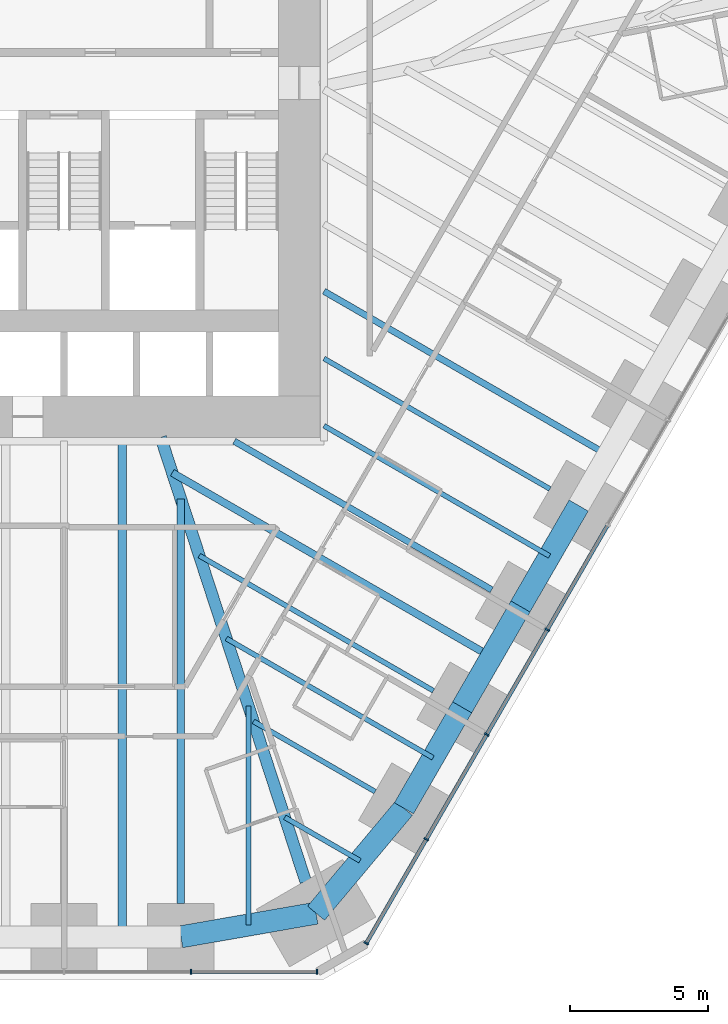
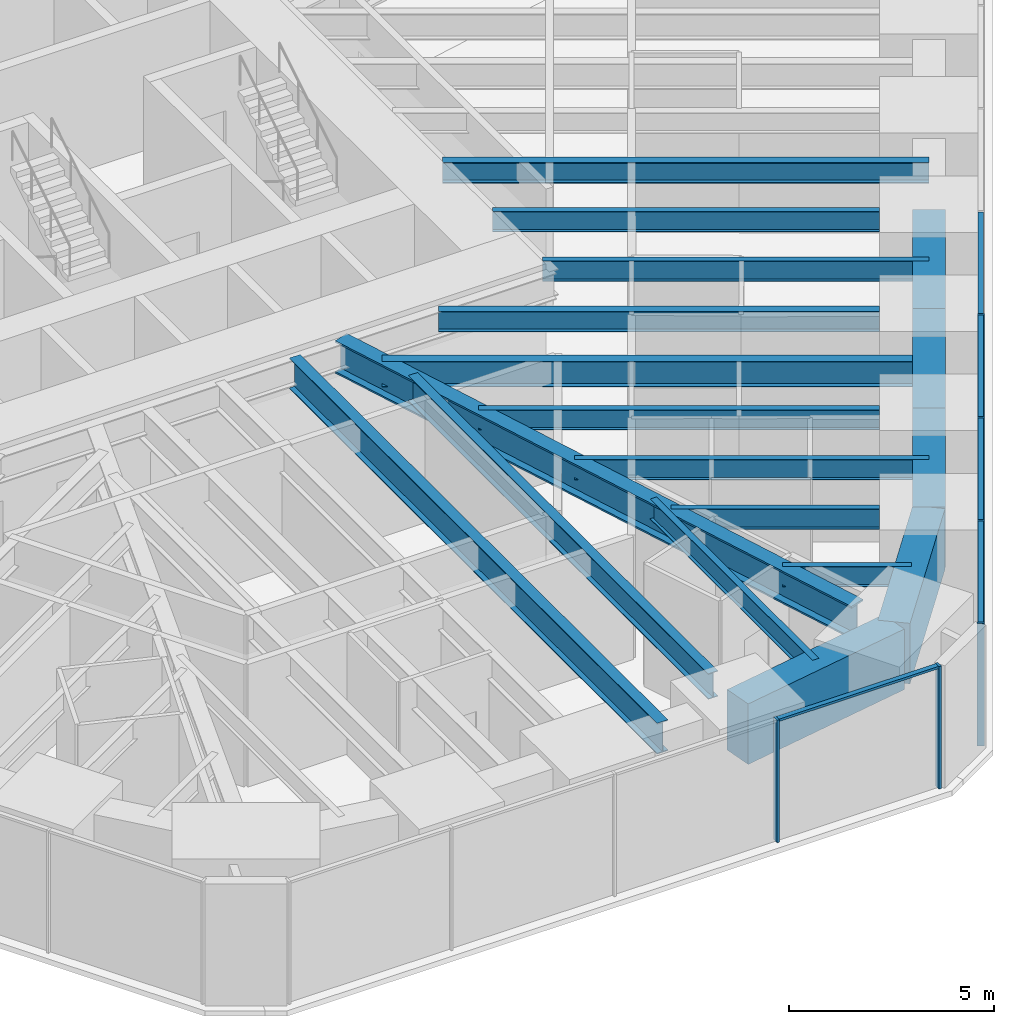
# One storey, part 5 of 17: 18 beams, 11 members, 2 elements without a shape of their own.
"""IFC4 building model written with IfcOpenShell, lengths in metres."""

from ifc_helpers import new_model, si_unit, direction, frame, origin, origin_2d, place, context, subcontext, project, spatial, rectangle, i_section, extrude, material, material_profile, profile_set, type_object, element, aggregate, save


model = new_model("IFC4")

# Units and contexts
model_context = context("Model", 3, precision=1e-05, world=origin(), true_north=direction((0.0, 1.0)))
body_context = subcontext(model_context, "Body", "Model", "MODEL_VIEW")
ifc_project = project(units=[si_unit("LENGTHUNIT", "METRE"), si_unit("AREAUNIT", "SQUARE_METRE"), si_unit("VOLUMEUNIT", "CUBIC_METRE"), si_unit("PLANEANGLEUNIT", "RADIAN"), si_unit("MASSUNIT", "GRAM", prefix="KILO")], contexts=[model_context])

# Site, building, storey
site_placement = place(None, origin())
site = spatial("IfcSite", under=ifc_project, at=site_placement, CompositionType="ELEMENT")
building_placement = place(site_placement, origin())
building = spatial("IfcBuilding", under=site, at=building_placement, Name="Sandreach Pilgrim Tower", CompositionType="ELEMENT")
storey_placement = place(building_placement, frame((0.0, 0.0, 38.199951171875)))
storey = spatial("IfcBuildingStorey", under=building, at=storey_placement, Name="L08", CompositionType="ELEMENT", Elevation=38.199951171875)

# Curtain wall, members
ifc_material_1 = material(Name="Aluminium framed curtain wall", Category="aluminium")
curtain_wall_type = type_object("IfcCurtainWallType", Name="Hostel tower curtain wall", PredefinedType="NOTDEFINED", material=ifc_material_1)
curtain_wall_1_placement = place(storey_placement, origin())
curtain_wall_1 = element("IfcCurtainWall", 1, at=curtain_wall_1_placement, inside=storey, type_object=curtain_wall_type, Name="CW-1 L08 SE", PredefinedType="NOTDEFINED")
ifc_material_2 = material(Name="Aluminium extrusion", Category="aluminium")
ifc_material_profile_1 = material_profile(ifc_material_2, rectangle(XDim=0.06494140625, YDim=0.179931640625, at=origin_2d()), Name="CW-1M 65X180")
ifc_profile_set_1 = profile_set([ifc_material_profile_1], Name="Aluminium extrusion")
member_type_1 = type_object("IfcMemberType", Name="CW-1 mullion", PredefinedType="MULLION", material=ifc_profile_set_1)
member_1_placement = place(storey_placement, frame((17.46142578125, -17.6533203125, 0.0), z_axis=(0.0, 0.0, 1.0), x_axis=(-0.5, -0.866025403784, 0.0)))
member_1 = element("IfcMember", 2, at=member_1_placement, type_object=member_type_1, Name="CW-1 mullion 7", PredefinedType="MULLION", context=body_context, shape_type="SweptSolid", body=[
    extrude(rectangle(XDim=0.06494140625, YDim=0.179931640625, at=origin_2d()), origin(), (0.0, 0.0, 1.0), 3.64013671875),
])
member_2_placement = place(storey_placement, frame((15.275634765625, -21.439208984375, 0.0), z_axis=(0.0, 0.0, 1.0), x_axis=(-0.5, -0.866025403784, 0.0)))
member_2 = element("IfcMember", 3, at=member_2_placement, type_object=member_type_1, Name="CW-1 mullion 8", PredefinedType="MULLION", context=body_context, shape_type="SweptSolid", body=[
    extrude(rectangle(XDim=0.06494140625, YDim=0.179931640625, at=origin_2d()), origin(), (0.0, 0.0, 1.0), 3.64013671875),
])
member_3_placement = place(storey_placement, frame((13.08984375, -25.22509765625, 0.0), z_axis=(0.0, 0.0, 1.0), x_axis=(-0.5, -0.866025403784, 0.0)))
member_3 = element("IfcMember", 4, at=member_3_placement, type_object=member_type_1, Name="CW-1 mullion 9", PredefinedType="MULLION", context=body_context, shape_type="SweptSolid", body=[
    extrude(rectangle(XDim=0.06494140625, YDim=0.179931640625, at=origin_2d()), origin(), (0.0, 0.0, 1.0), 3.64013671875),
])
member_4_placement = place(storey_placement, frame((10.92041015625, -28.982666015625, 0.0), z_axis=(0.0, 0.0, 1.0), x_axis=(-0.5, -0.866025403784, 0.0)))
member_4 = element("IfcMember", 5, at=member_4_placement, type_object=member_type_1, Name="CW-1 mullion 10", PredefinedType="MULLION", context=body_context, shape_type="SweptSolid", body=[
    extrude(rectangle(XDim=0.06494140625, YDim=0.179931640625, at=origin_2d()), origin(), (0.0, 0.0, 1.0), 3.64013671875),
])

curtain_wall_2_placement = place(storey_placement, origin())
curtain_wall_2 = element("IfcCurtainWall", 6, at=curtain_wall_2_placement, inside=storey, type_object=curtain_wall_type, Name="CW-1 L08 S", PredefinedType="NOTDEFINED")
member_5_placement = place(storey_placement, frame((9.1396484375, -30.010986328125, 0.0), z_axis=(0.0, 0.0, 1.0), x_axis=(-1.0, 0.0, 0.0)))
member_5 = element("IfcMember", 7, at=member_5_placement, type_object=member_type_1, Name="CW-1 mullion 1", PredefinedType="MULLION", context=body_context, shape_type="SweptSolid", body=[
    extrude(rectangle(XDim=0.06494140625, YDim=0.179931640625, at=origin_2d()), origin(), (0.0, 0.0, 1.0), 3.64013671875),
])
member_6_placement = place(storey_placement, frame((4.5859375, -30.010986328125, 0.0), z_axis=(0.0, 0.0, 1.0), x_axis=(-1.0, 0.0, 0.0)))
member_6 = element("IfcMember", 8, at=member_6_placement, type_object=member_type_1, Name="CW-1 mullion 2", PredefinedType="MULLION", context=body_context, shape_type="SweptSolid", body=[
    extrude(rectangle(XDim=0.06494140625, YDim=0.179931640625, at=origin_2d()), origin(), (0.0, 0.0, 1.0), 3.64013671875),
])

# Member
ifc_material_3 = material(Name="Aluminium extrusion", Category="aluminium")
ifc_material_profile_2 = material_profile(ifc_material_3, rectangle(XDim=0.139892578125, YDim=0.070068359375, at=origin_2d()), Name="CW-1T 140X70")
ifc_profile_set_2 = profile_set([ifc_material_profile_2], Name="Aluminium extrusion")
member_type_2 = type_object("IfcMemberType", Name="CW-1 transom", PredefinedType="USERDEFINED", material=ifc_profile_set_2)
member_7_placement = place(storey_placement, frame((19.631103515625, -13.8955078125, 3.60498046875), z_axis=(-0.500016891966, -0.866015650984, 0.0), x_axis=(0.866015650984, -0.500016891966, 0.0)))
member_7 = element("IfcMember", 9, at=member_7_placement, type_object=member_type_2, Name="CW-1 head transom 6", ObjectType="TRANSOM", PredefinedType="USERDEFINED", context=body_context, shape_type="SweptSolid", body=[
    extrude(rectangle(XDim=0.139892578125, YDim=0.070068359375, at=origin_2d()), origin(), (0.0, 0.0, 1.0), 4.306396484375),
])

member_8_placement = place(storey_placement, frame((17.4453125, -17.681396484375, 3.60498046875), z_axis=(-0.500016891966, -0.866015650984, 0.0), x_axis=(0.866015650984, -0.500016891966, 0.0)))
member_8 = element("IfcMember", 10, at=member_8_placement, type_object=member_type_2, Name="CW-1 head transom 7", ObjectType="TRANSOM", PredefinedType="USERDEFINED", context=body_context, shape_type="SweptSolid", body=[
    extrude(rectangle(XDim=0.139892578125, YDim=0.070068359375, at=origin_2d()), origin(), (0.0, 0.0, 1.0), 4.306396484375),
])

member_9_placement = place(storey_placement, frame((15.259521484375, -21.46728515625, 3.60498046875), z_axis=(-0.500016891966, -0.866015650984, 0.0), x_axis=(0.866015650984, -0.500016891966, 0.0)))
member_9 = element("IfcMember", 11, at=member_9_placement, type_object=member_type_2, Name="CW-1 head transom 8", ObjectType="TRANSOM", PredefinedType="USERDEFINED", context=body_context, shape_type="SweptSolid", body=[
    extrude(rectangle(XDim=0.139892578125, YDim=0.070068359375, at=origin_2d()), origin(), (0.0, 0.0, 1.0), 4.306396484375),
])

member_10_placement = place(storey_placement, frame((13.07373046875, -25.253173828125, 3.60498046875), z_axis=(-0.500033953635, -0.866005799756, 0.0), x_axis=(0.866005799756, -0.500033953635, 0.0)))
member_10 = element("IfcMember", 12, at=member_10_placement, type_object=member_type_2, Name="CW-1 head transom 9", ObjectType="TRANSOM", PredefinedType="USERDEFINED", context=body_context, shape_type="SweptSolid", body=[
    extrude(rectangle(XDim=0.139892578125, YDim=0.070068359375, at=origin_2d()), origin(), (0.0, 0.0, 1.0), 4.274169921875),
])

aggregate(curtain_wall_1, [member_1, member_2, member_3, member_4, member_7, member_8, member_9, member_10])

member_11_placement = place(storey_placement, frame((9.107177734375, -30.010986328125, 3.60498046875), z_axis=(-1.0, 0.0, 0.0), x_axis=(0.0, -1.0, 0.0)))
member_11 = element("IfcMember", 13, at=member_11_placement, type_object=member_type_2, Name="CW-1 head transom 1", ObjectType="TRANSOM", PredefinedType="USERDEFINED", context=body_context, shape_type="SweptSolid", body=[
    extrude(rectangle(XDim=0.139892578125, YDim=0.070068359375, at=origin_2d()), origin(), (0.0, 0.0, 1.0), 4.488525390625),
])

aggregate(curtain_wall_2, [member_5, member_6, member_11])

# Beams
ifc_material_4 = material(Name="Steel ASTM A992 Grade 50", Category="steel")
ifc_material_profile_3 = material_profile(ifc_material_4, i_section(OverallWidth=0.424072265625, OverallDepth=0.965087890625, WebThickness=0.028564453125, FlangeThickness=0.051025390625, at=origin_2d()), Name="W36X361")
ifc_profile_set_3 = profile_set([ifc_material_profile_3], Name="Steel ASTM A992 Grade 50")
beam_type_1 = type_object("IfcBeamType", Name="Corner girder W36X361", PredefinedType="BEAM", material=ifc_profile_set_3)
beam_1_placement = place(storey_placement, frame((8.73388671875, -26.756103515625, 3.157470703125), z_axis=(-0.310315410754, 0.950633654911, 0.0), x_axis=(-0.950633654911, -0.310315410754, 0.0)))
element("IfcBeam", 14, at=beam_1_placement, inside=storey, type_object=beam_type_1, Name="BM L08 CG22", PredefinedType="BEAM", context=body_context, shape_type="SweptSolid", body=[
    extrude(i_section(OverallWidth=0.424072265625, OverallDepth=0.965087890625, WebThickness=0.028564453125, FlangeThickness=0.051025390625, at=origin_2d()), origin(), (0.0, 0.0, 1.0), 16.889892578125),
])
ifc_material_5 = material(Name="Steel ASTM A992 Grade 50", Category="steel")
ifc_material_profile_4 = material_profile(ifc_material_5, i_section(OverallWidth=0.1787109375, OverallDepth=0.60205078125, WebThickness=0.010986328125, FlangeThickness=0.014892578125, at=origin_2d()), Name="W24X62")
ifc_profile_set_4 = profile_set([ifc_material_profile_4], Name="Steel ASTM A992 Grade 50")
beam_type_2 = type_object("IfcBeamType", Name="Floor beam W24X62", PredefinedType="BEAM", material=ifc_profile_set_4)
beam_2_placement = place(storey_placement, frame((17.557373046875, -12.5673828125, 3.339111328125), z_axis=(-0.866020839647, 0.500007905235, 0.0), x_axis=(-0.500007905235, -0.866020839647, 0.0)))
element("IfcBeam", 15, at=beam_2_placement, inside=storey, type_object=beam_type_2, Name="BM L08 F18", PredefinedType="BEAM", context=body_context, shape_type="SweptSolid", body=[
    extrude(i_section(OverallWidth=0.1787109375, OverallDepth=0.60205078125, WebThickness=0.010986328125, FlangeThickness=0.014892578125, at=origin_2d()), origin(), (0.0, 0.0, 1.0), 9.427001953125),
])
beam_3_placement = place(storey_placement, frame((13.347412109375, -19.859130859375, 3.339111328125), z_axis=(-0.866025751498, 0.499999397742, 0.0), x_axis=(-0.499999397742, -0.866025751498, 0.0)))
element("IfcBeam", 16, at=beam_3_placement, inside=storey, type_object=beam_type_2, Name="BM L08 F20", PredefinedType="BEAM", context=body_context, shape_type="SweptSolid", body=[
    extrude(i_section(OverallWidth=0.1787109375, OverallDepth=0.60205078125, WebThickness=0.010986328125, FlangeThickness=0.014892578125, at=origin_2d()), origin(), (0.0, 0.0, 1.0), 9.767578125),
])
beam_4_placement = place(storey_placement, frame((11.242431640625, -23.5048828125, 3.339111328125), z_axis=(-0.866027897259, 0.49999568115, 0.0), x_axis=(-0.49999568115, -0.866027897259, 0.0)))
element("IfcBeam", 17, at=beam_4_placement, inside=storey, type_object=beam_type_2, Name="BM L08 F21", PredefinedType="BEAM", context=body_context, shape_type="SweptSolid", body=[
    extrude(i_section(OverallWidth=0.1787109375, OverallDepth=0.60205078125, WebThickness=0.010986328125, FlangeThickness=0.014892578125, at=origin_2d()), origin(), (0.0, 0.0, 1.0), 5.0791015625),
])
beam_5_placement = place(storey_placement, frame((17.5439453125, -14.990234375, 3.339111328125), z_axis=(-0.86602359238, 0.500003137431, 0.0), x_axis=(-0.500003137431, -0.86602359238, 0.0)))
element("IfcBeam", 18, at=beam_5_placement, inside=storey, type_object=beam_type_2, Name="BM L08 FM18", PredefinedType="BEAM", context=body_context, shape_type="SweptSolid", body=[
    extrude(i_section(OverallWidth=0.1787109375, OverallDepth=0.60205078125, WebThickness=0.010986328125, FlangeThickness=0.014892578125, at=origin_2d()), origin(), (0.0, 0.0, 1.0), 9.41162109375),
])
beam_6_placement = place(storey_placement, frame((13.334228515625, -22.281982421875, 3.339111328125), z_axis=(-0.86602717807, 0.499996926835, 0.0), x_axis=(-0.499996926835, -0.86602717807, 0.0)))
element("IfcBeam", 19, at=beam_6_placement, inside=storey, type_object=beam_type_2, Name="BM L08 FM20", PredefinedType="BEAM", context=body_context, shape_type="SweptSolid", body=[
    extrude(i_section(OverallWidth=0.1787109375, OverallDepth=0.60205078125, WebThickness=0.010986328125, FlangeThickness=0.014892578125, at=origin_2d()), origin(), (0.0, 0.0, 1.0), 8.62353515625),
])
beam_7_placement = place(storey_placement, frame((10.694091796875, -26.0009765625, 3.339111328125), z_axis=(-0.866023718453, 0.500002919068, 0.0), x_axis=(-0.500002919068, -0.866023718453, 0.0)))
element("IfcBeam", 20, at=beam_7_placement, inside=storey, type_object=beam_type_2, Name="BM L08 FM21", PredefinedType="BEAM", context=body_context, shape_type="SweptSolid", body=[
    extrude(i_section(OverallWidth=0.1787109375, OverallDepth=0.60205078125, WebThickness=0.010986328125, FlangeThickness=0.014892578125, at=origin_2d()), origin(), (0.0, 0.0, 1.0), 3.1396484375),
])
beam_8_placement = place(storey_placement, frame((6.664306640625, -28.323974609375, 3.339111328125), z_axis=(0.0, 1.0, 0.0), x_axis=(-1.0, 0.0, 0.0)))
element("IfcBeam", 21, at=beam_8_placement, inside=storey, type_object=beam_type_2, Name="BM L08 FM22", PredefinedType="BEAM", context=body_context, shape_type="SweptSolid", body=[
    extrude(i_section(OverallWidth=0.1787109375, OverallDepth=0.60205078125, WebThickness=0.010986328125, FlangeThickness=0.014892578125, at=origin_2d()), origin(), (0.0, 0.0, 1.0), 7.907958984375),
])
ifc_material_6 = material(Name="Steel ASTM A992 Grade 50", Category="steel")
ifc_material_profile_5 = material_profile(ifc_material_6, i_section(OverallWidth=0.23046875, OverallDepth=0.6171875, WebThickness=0.01318359375, FlangeThickness=0.022216796875, at=origin_2d()), Name="W24X94")
ifc_profile_set_5 = profile_set([ifc_material_profile_5], Name="Steel ASTM A992 Grade 50")
beam_type_3 = type_object("IfcBeamType", Name="Floor beam W24X94", PredefinedType="BEAM", material=ifc_profile_set_5)
beam_9_placement = place(storey_placement, frame((15.452392578125, -16.213134765625, 3.33154296875), z_axis=(-0.866028486751, 0.499994660107, 0.0), x_axis=(-0.499994660107, -0.866028486751, 0.0)))
element("IfcBeam", 22, at=beam_9_placement, inside=storey, type_object=beam_type_3, Name="BM L08 F19", PredefinedType="BEAM", context=body_context, shape_type="SweptSolid", body=[
    extrude(i_section(OverallWidth=0.23046875, OverallDepth=0.6171875, WebThickness=0.01318359375, FlangeThickness=0.022216796875, at=origin_2d()), origin(), (0.0, 0.0, 1.0), 10.73974609375),
])
beam_10_placement = place(storey_placement, frame((19.64892578125, -11.34423828125, 3.33154296875), z_axis=(-0.866032123691, 0.4999883606, 0.0), x_axis=(-0.4999883606, -0.866032123691, 0.0)))
element("IfcBeam", 23, at=beam_10_placement, inside=storey, type_object=beam_type_3, Name="BM L08 FM17", PredefinedType="BEAM", context=body_context, shape_type="SweptSolid", body=[
    extrude(i_section(OverallWidth=0.23046875, OverallDepth=0.6171875, WebThickness=0.01318359375, FlangeThickness=0.022216796875, at=origin_2d()), origin(), (0.0, 0.0, 1.0), 11.842041015625),
])
ifc_material_7 = material(Name="Steel ASTM A992 Grade 50", Category="steel")
ifc_material_profile_6 = material_profile(ifc_material_7, i_section(OverallWidth=0.2666015625, OverallDepth=0.761962890625, WebThickness=0.014404296875, FlangeThickness=0.021484375, at=origin_2d()), Name="W30X116")
ifc_profile_set_6 = profile_set([ifc_material_profile_6], Name="Steel ASTM A992 Grade 50")
beam_type_4 = type_object("IfcBeamType", Name="Floor beam W30X116", PredefinedType="BEAM", material=ifc_profile_set_6)
beam_11_placement = place(storey_placement, frame((4.222412109375, -27.55078125, 3.259033203125), z_axis=(0.0, 1.0, 0.0), x_axis=(-1.0, 0.0, 0.0)))
element("IfcBeam", 24, at=beam_11_placement, inside=storey, type_object=beam_type_4, Name="BM L08 F23", PredefinedType="BEAM", context=body_context, shape_type="SweptSolid", body=[
    extrude(i_section(OverallWidth=0.2666015625, OverallDepth=0.761962890625, WebThickness=0.014404296875, FlangeThickness=0.021484375, at=origin_2d()), origin(), (0.0, 0.0, 1.0), 14.61572265625),
])
beam_12_placement = place(storey_placement, frame((15.43896484375, -18.63623046875, 3.259033203125), z_axis=(-0.866021271874, 0.50000715661, 0.0), x_axis=(-0.50000715661, -0.866021271874, 0.0)))
element("IfcBeam", 25, at=beam_12_placement, inside=storey, type_object=beam_type_4, Name="BM L08 FM19", PredefinedType="BEAM", context=body_context, shape_type="SweptSolid", body=[
    extrude(i_section(OverallWidth=0.2666015625, OverallDepth=0.761962890625, WebThickness=0.014404296875, FlangeThickness=0.021484375, at=origin_2d()), origin(), (0.0, 0.0, 1.0), 13.311767578125),
])
ifc_material_8 = material(Name="Steel ASTM A992 Grade 50", Category="steel")
ifc_material_profile_7 = material_profile(ifc_material_8, i_section(OverallWidth=0.3046875, OverallDepth=0.914306640625, WebThickness=0.0166015625, FlangeThickness=0.02587890625, at=origin_2d()), Name="W36X160")
ifc_profile_set_7 = profile_set([ifc_material_profile_7], Name="Steel ASTM A992 Grade 50")
beam_type_5 = type_object("IfcBeamType", Name="Floor beam W36X160", PredefinedType="BEAM", material=ifc_profile_set_7)
beam_13_placement = place(storey_placement, frame((2.111083984375, -28.7509765625, 3.182861328125), z_axis=(0.0, 1.0, 0.0), x_axis=(-1.0, 0.0, 0.0)))
element("IfcBeam", 26, at=beam_13_placement, inside=storey, type_object=beam_type_5, Name="BM L08 FM23", PredefinedType="BEAM", context=body_context, shape_type="SweptSolid", body=[
    extrude(i_section(OverallWidth=0.3046875, OverallDepth=0.914306640625, WebThickness=0.0166015625, FlangeThickness=0.02587890625, at=origin_2d()), origin(), (0.0, 0.0, 1.0), 17.90771484375),
])
ifc_material_9 = material(Name="Concrete 10000 psi", Category="concrete")
ifc_material_profile_8 = material_profile(ifc_material_9, rectangle(XDim=0.800048828125, YDim=1.800048828125, at=origin_2d()), Name="RC800X1800")
ifc_profile_set_8 = profile_set([ifc_material_profile_8], Name="Concrete 10000 psi")
beam_type_6 = type_object("IfcBeamType", Name="Spandrel beam RC800X1800", PredefinedType="SPANDREL", material=ifc_profile_set_8)
beam_14_placement = place(storey_placement, frame((18.596435546875, -13.167236328125, 2.739990234375), z_axis=(-0.499993523031, -0.866029143232, 0.0), x_axis=(0.866029143232, -0.499993523031, 0.0)))
element("IfcBeam", 27, at=beam_14_placement, inside=storey, type_object=beam_type_6, Name="BM L08 SP18", PredefinedType="SPANDREL", context=body_context, shape_type="SweptSolid", body=[
    extrude(rectangle(XDim=0.800048828125, YDim=1.800048828125, at=origin_2d()), origin(), (0.0, 0.0, 1.0), 4.2099609375),
])
beam_15_placement = place(storey_placement, frame((16.491455078125, -16.813232421875, 2.739990234375), z_axis=(-0.499975138639, -0.866039757022, 0.0), x_axis=(0.866039757022, -0.499975138639, 0.0)))
element("IfcBeam", 28, at=beam_15_placement, inside=storey, type_object=beam_type_6, Name="BM L08 SP19", PredefinedType="SPANDREL", context=body_context, shape_type="SweptSolid", body=[
    extrude(rectangle(XDim=0.800048828125, YDim=1.800048828125, at=origin_2d()), origin(), (0.0, 0.0, 1.0), 4.209716796875),
])
beam_16_placement = place(storey_placement, frame((14.38671875, -20.458984375, 2.739990234375), z_axis=(-0.499993523031, -0.866029143232, 0.0), x_axis=(0.866029143232, -0.499993523031, 0.0)))
element("IfcBeam", 29, at=beam_16_placement, inside=storey, type_object=beam_type_6, Name="BM L08 SP20", PredefinedType="SPANDREL", context=body_context, shape_type="SweptSolid", body=[
    extrude(rectangle(XDim=0.800048828125, YDim=1.800048828125, at=origin_2d()), origin(), (0.0, 0.0, 1.0), 4.2099609375),
])
beam_17_placement = place(storey_placement, frame((12.28173828125, -24.10498046875, 2.739990234375), z_axis=(-0.642008193922, -0.766697775488, 0.0), x_axis=(0.766697775488, -0.642008193922, 0.0)))
element("IfcBeam", 30, at=beam_17_placement, inside=storey, type_object=beam_type_6, Name="BM L08 SP21", PredefinedType="SPANDREL", context=body_context, shape_type="SweptSolid", body=[
    extrude(rectangle(XDim=0.800048828125, YDim=1.800048828125, at=origin_2d()), origin(), (0.0, 0.0, 1.0), 4.94580078125),
])
beam_18_placement = place(storey_placement, frame((9.1064453125, -27.89697265625, 2.739990234375), z_axis=(-0.985054495501, -0.17224297052, 0.0), x_axis=(0.17224297052, -0.985054495501, 0.0)))
element("IfcBeam", 31, at=beam_18_placement, inside=storey, type_object=beam_type_6, Name="BM L08 SP22", PredefinedType="SPANDREL", context=body_context, shape_type="SweptSolid", body=[
    extrude(rectangle(XDim=0.800048828125, YDim=1.800048828125, at=origin_2d()), origin(), (0.0, 0.0, 1.0), 4.958251953125),
])

save(model, "model.ifc")
